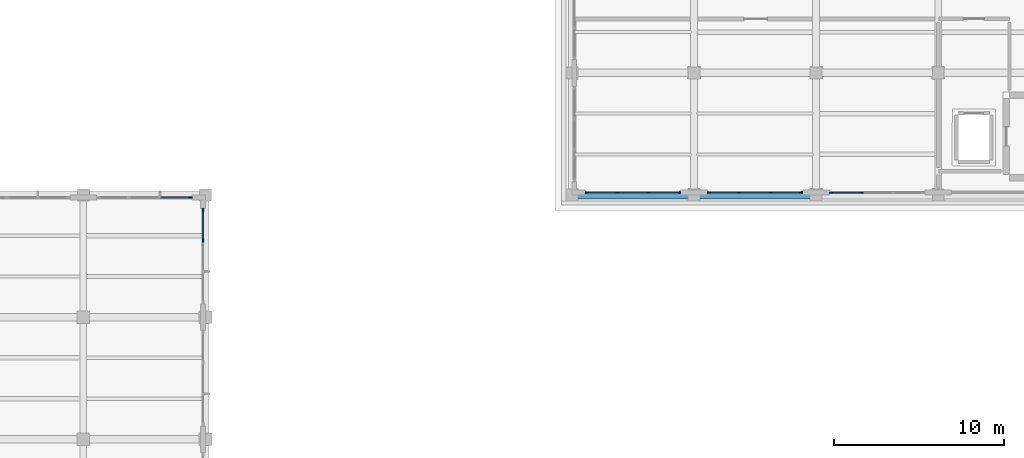
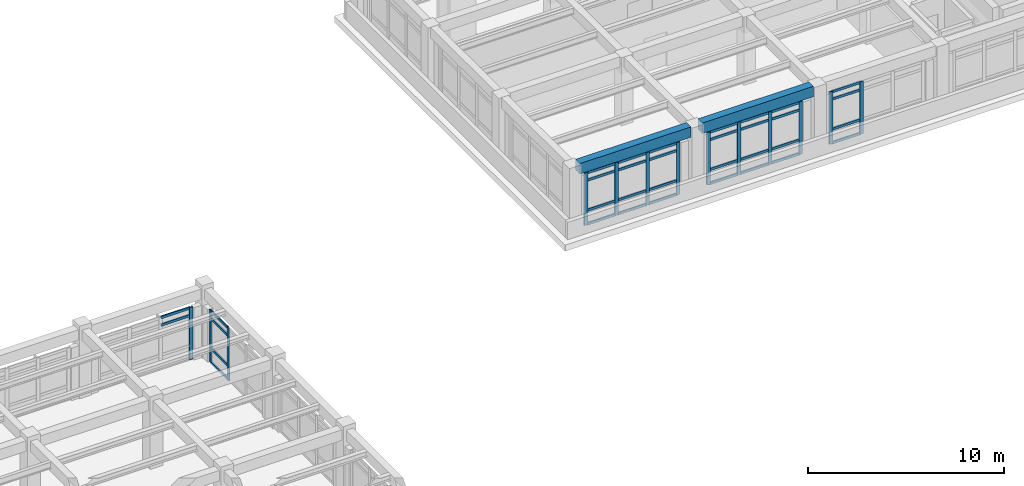
# One storey, part 21 of 64: 47 members, 2 beams, 5 elements without a shape of their own.
"""IFC4 building model written with IfcOpenShell, lengths in metres."""

from ifc_helpers import new_model, si_unit, direction, frame, origin, origin_2d, place, context, subcontext, project, spatial, rectangle, extrude, material, layer, layer_set, material_profile, profile_set, type_object, element, aggregate, save


model = new_model("IFC4")

# Units and contexts
model_context = context("Model", 3, precision=1e-05, world=origin(), true_north=direction((0.0, 1.0)))
body_context = subcontext(model_context, "Body", "Model", "MODEL_VIEW")
ifc_project = project(units=[si_unit("LENGTHUNIT", "METRE"), si_unit("AREAUNIT", "SQUARE_METRE"), si_unit("VOLUMEUNIT", "CUBIC_METRE"), si_unit("PLANEANGLEUNIT", "RADIAN"), si_unit("MASSUNIT", "GRAM", prefix="KILO")], contexts=[model_context])

# Site, building, storey
site_placement = place(None, origin())
site = spatial("IfcSite", under=ifc_project, at=site_placement, CompositionType="ELEMENT")
building_placement = place(site_placement, origin())
building = spatial("IfcBuilding", under=site, at=building_placement, Name="Solenvale Faculty of Natural Sciences", CompositionType="ELEMENT")
storey_placement = place(building_placement, frame((0.0, 0.0, 18.0)))
storey = spatial("IfcBuildingStorey", under=building, at=storey_placement, Name="L04", CompositionType="ELEMENT", Elevation=18.0)

# Beams
ifc_material_1 = material(Name="Concrete 40 MPa", Category="concrete")
ifc_material_profile_1 = material_profile(ifc_material_1, rectangle(XDim=0.449951171875, YDim=0.64990234375, at=origin_2d()), Name="RC-BM-450x650")
ifc_profile_set_1 = profile_set([ifc_material_profile_1], Name="Concrete 40 MPa")
beam_type = type_object("IfcBeamType", Name="BM-RC-450x650", PredefinedType="BEAM", material=ifc_profile_set_1)
for number, where, z_axis, x_axis, name in (
    (1, (79.530029296875, 93.60009765625, 3.89501953125), (1.0, 0.0, 0.0), (0.0, 1.0, 0.0), "L04 X-Girder Y93.6 (79.2..86.4)"),
    (2, (86.72998046875, 93.60009765625, 3.89501953125), (1.0, 0.0, 0.0), (0.0, 1.0, 0.0), "L04 X-Girder Y93.6 (86.4..93.6)"),
):
    element("IfcBeam", number, at=place(storey_placement, frame(where, z_axis=z_axis, x_axis=x_axis)), inside=storey, type_object=beam_type, Name=name, PredefinedType="BEAM", context=body_context, shape_type="SweptSolid", body=[
        extrude(rectangle(XDim=0.449951171875, YDim=0.64990234375, at=origin_2d()), origin(), (0.0, 0.0, 1.0), 6.5400390625),
    ])

# Curtain wall, members
ifc_material_2 = material(Name="Anodised bronze aluminium", Category="aluminium")
ifc_layer_1 = layer(ifc_material_2, 0.215087890625)
ifc_layer_set_1 = layer_set([ifc_layer_1], Name="Anodised bronze aluminium")
curtain_wall_type_1 = type_object("IfcCurtainWallType", Name="CW-ATR-UNIT", PredefinedType="USERDEFINED", material=ifc_layer_set_1)
curtain_wall_1_placement = place(storey_placement, origin())
curtain_wall_1 = element("IfcCurtainWall", 3, at=curtain_wall_1_placement, inside=storey, type_object=curtain_wall_type_1, Name="L04 Curtain Wall CW-L04-P1-E1-B8", ObjectType="UNITISED CURTAIN WALL", PredefinedType="USERDEFINED")
ifc_material_profile_2 = material_profile(ifc_material_2, rectangle(XDim=0.074951171875, YDim=0.2099609375, at=origin_2d()), Name="ALU-MUL-75x210")
ifc_profile_set_2 = profile_set([ifc_material_profile_2], Name="Anodised bronze aluminium")
member_type_1 = type_object("IfcMemberType", Name="CWM-ALU-75x210", PredefinedType="MULLION", material=ifc_profile_set_2)
member_1_placement = place(storey_placement, frame((57.45751953125, 90.916748046875, 0.0), z_axis=(0.0, 0.0, 1.0), x_axis=(-1.0, 0.0, 0.0)))
member_1 = element("IfcMember", 4, at=member_1_placement, type_object=member_type_1, Name="CW-01 mullion 3", PredefinedType="MULLION", context=body_context, shape_type="SweptSolid", body=[
    extrude(rectangle(XDim=0.074951171875, YDim=0.2099609375, at=origin_2d()), origin(), (0.0, 0.0, 1.0), 3.260009765625),
])
member_2_placement = place(storey_placement, frame((57.45751953125, 92.71240234375, 0.0), z_axis=(0.0, 0.0, 1.0), x_axis=(-1.0, 0.0, 0.0)))
member_2 = element("IfcMember", 5, at=member_2_placement, type_object=member_type_1, Name="CW-01 mullion 4", PredefinedType="MULLION", context=body_context, shape_type="SweptSolid", body=[
    extrude(rectangle(XDim=0.074951171875, YDim=0.2099609375, at=origin_2d()), origin(), (0.0, 0.0, 1.0), 3.260009765625),
])

# Curtain wall, member
curtain_wall_2_placement = place(storey_placement, origin())
curtain_wall_2 = element("IfcCurtainWall", 6, at=curtain_wall_2_placement, inside=storey, type_object=curtain_wall_type_1, Name="L04 Curtain Wall CW-L04-P1-E2-B1", ObjectType="UNITISED CURTAIN WALL", PredefinedType="USERDEFINED")
member_3_placement = place(storey_placement, frame((56.71240234375, 93.45751953125, 0.0), z_axis=(0.0, 0.0, 1.0), x_axis=(0.0, -1.0, 0.0)))
member_3 = element("IfcMember", 7, at=member_3_placement, type_object=member_type_1, Name="CW-01 mullion 1", PredefinedType="MULLION", context=body_context, shape_type="SweptSolid", body=[
    extrude(rectangle(XDim=0.074951171875, YDim=0.2099609375, at=origin_2d()), origin(), (0.0, 0.0, 1.0), 3.260009765625),
])

# Curtain wall, members
ifc_layer_2 = layer(ifc_material_2, 0.179931640625)
ifc_layer_set_2 = layer_set([ifc_layer_2], Name="Anodised bronze aluminium")
curtain_wall_type_2 = type_object("IfcCurtainWallType", Name="CW-TWR-MOD", PredefinedType="USERDEFINED", material=ifc_layer_set_2)
curtain_wall_3_placement = place(storey_placement, origin())
curtain_wall_3 = element("IfcCurtainWall", 8, at=curtain_wall_3_placement, inside=storey, type_object=curtain_wall_type_2, Name="L04 Curtain Wall CW-L04-P3-E6-B1", ObjectType="UNITISED CURTAIN WALL", PredefinedType="USERDEFINED")
member_4_placement = place(storey_placement, frame((80.08740234375, 93.742431640625, 0.0), z_axis=(0.0, 0.0, 1.0), x_axis=(0.0, 1.0, 0.0)))
member_4 = element("IfcMember", 9, at=member_4_placement, type_object=member_type_1, Name="CW-04 mullion 1", PredefinedType="MULLION", context=body_context, shape_type="SweptSolid", body=[
    extrude(rectangle(XDim=0.074951171875, YDim=0.2099609375, at=origin_2d()), origin(), (0.0, 0.0, 1.0), 3.260009765625),
])
member_5_placement = place(storey_placement, frame((81.88330078125, 93.742431640625, 0.0), z_axis=(0.0, 0.0, 1.0), x_axis=(0.0, 1.0, 0.0)))
member_5 = element("IfcMember", 10, at=member_5_placement, type_object=member_type_1, Name="CW-04 mullion 2", PredefinedType="MULLION", context=body_context, shape_type="SweptSolid", body=[
    extrude(rectangle(XDim=0.074951171875, YDim=0.2099609375, at=origin_2d()), origin(), (0.0, 0.0, 1.0), 3.260009765625),
])
member_6_placement = place(storey_placement, frame((83.716552734375, 93.742431640625, 0.0), z_axis=(0.0, 0.0, 1.0), x_axis=(0.0, 1.0, 0.0)))
member_6 = element("IfcMember", 11, at=member_6_placement, type_object=member_type_1, Name="CW-04 mullion 3", PredefinedType="MULLION", context=body_context, shape_type="SweptSolid", body=[
    extrude(rectangle(XDim=0.074951171875, YDim=0.2099609375, at=origin_2d()), origin(), (0.0, 0.0, 1.0), 3.260009765625),
])
member_7_placement = place(storey_placement, frame((85.512451171875, 93.742431640625, 0.0), z_axis=(0.0, 0.0, 1.0), x_axis=(0.0, 1.0, 0.0)))
member_7 = element("IfcMember", 12, at=member_7_placement, type_object=member_type_1, Name="CW-04 mullion 4", PredefinedType="MULLION", context=body_context, shape_type="SweptSolid", body=[
    extrude(rectangle(XDim=0.074951171875, YDim=0.2099609375, at=origin_2d()), origin(), (0.0, 0.0, 1.0), 3.260009765625),
])

curtain_wall_4_placement = place(storey_placement, origin())
curtain_wall_4 = element("IfcCurtainWall", 13, at=curtain_wall_4_placement, inside=storey, type_object=curtain_wall_type_2, Name="L04 Curtain Wall CW-L04-P3-E6-B2", ObjectType="UNITISED CURTAIN WALL", PredefinedType="USERDEFINED")
member_8_placement = place(storey_placement, frame((87.28759765625, 93.742431640625, 0.0), z_axis=(0.0, 0.0, 1.0), x_axis=(0.0, 1.0, 0.0)))
member_8 = element("IfcMember", 14, at=member_8_placement, type_object=member_type_1, Name="CW-04 mullion 1", PredefinedType="MULLION", context=body_context, shape_type="SweptSolid", body=[
    extrude(rectangle(XDim=0.074951171875, YDim=0.2099609375, at=origin_2d()), origin(), (0.0, 0.0, 1.0), 3.260009765625),
])
member_9_placement = place(storey_placement, frame((89.083251953125, 93.742431640625, 0.0), z_axis=(0.0, 0.0, 1.0), x_axis=(0.0, 1.0, 0.0)))
member_9 = element("IfcMember", 15, at=member_9_placement, type_object=member_type_1, Name="CW-04 mullion 2", PredefinedType="MULLION", context=body_context, shape_type="SweptSolid", body=[
    extrude(rectangle(XDim=0.074951171875, YDim=0.2099609375, at=origin_2d()), origin(), (0.0, 0.0, 1.0), 3.260009765625),
])
member_10_placement = place(storey_placement, frame((90.916748046875, 93.742431640625, 0.0), z_axis=(0.0, 0.0, 1.0), x_axis=(0.0, 1.0, 0.0)))
member_10 = element("IfcMember", 16, at=member_10_placement, type_object=member_type_1, Name="CW-04 mullion 3", PredefinedType="MULLION", context=body_context, shape_type="SweptSolid", body=[
    extrude(rectangle(XDim=0.074951171875, YDim=0.2099609375, at=origin_2d()), origin(), (0.0, 0.0, 1.0), 3.260009765625),
])
member_11_placement = place(storey_placement, frame((92.71240234375, 93.742431640625, 0.0), z_axis=(0.0, 0.0, 1.0), x_axis=(0.0, 1.0, 0.0)))
member_11 = element("IfcMember", 17, at=member_11_placement, type_object=member_type_1, Name="CW-04 mullion 4", PredefinedType="MULLION", context=body_context, shape_type="SweptSolid", body=[
    extrude(rectangle(XDim=0.074951171875, YDim=0.2099609375, at=origin_2d()), origin(), (0.0, 0.0, 1.0), 3.260009765625),
])

curtain_wall_5_placement = place(storey_placement, origin())
curtain_wall_5 = element("IfcCurtainWall", 18, at=curtain_wall_5_placement, inside=storey, type_object=curtain_wall_type_2, Name="L04 Curtain Wall CW-L04-P3-E6-B3", ObjectType="UNITISED CURTAIN WALL", PredefinedType="USERDEFINED")
member_12_placement = place(storey_placement, frame((94.487548828125, 93.742431640625, 0.0), z_axis=(0.0, 0.0, 1.0), x_axis=(0.0, 1.0, 0.0)))
member_12 = element("IfcMember", 19, at=member_12_placement, type_object=member_type_1, Name="CW-04 mullion 1", PredefinedType="MULLION", context=body_context, shape_type="SweptSolid", body=[
    extrude(rectangle(XDim=0.074951171875, YDim=0.2099609375, at=origin_2d()), origin(), (0.0, 0.0, 1.0), 3.260009765625),
])
member_13_placement = place(storey_placement, frame((96.283447265625, 93.742431640625, 0.0), z_axis=(0.0, 0.0, 1.0), x_axis=(0.0, 1.0, 0.0)))
member_13 = element("IfcMember", 20, at=member_13_placement, type_object=member_type_1, Name="CW-04 mullion 2", PredefinedType="MULLION", context=body_context, shape_type="SweptSolid", body=[
    extrude(rectangle(XDim=0.074951171875, YDim=0.2099609375, at=origin_2d()), origin(), (0.0, 0.0, 1.0), 3.260009765625),
])

# Member
ifc_material_profile_3 = material_profile(ifc_material_2, rectangle(XDim=0.074951171875, YDim=0.155029296875, at=origin_2d()), Name="ALU-TRN-75x155")
ifc_profile_set_3 = profile_set([ifc_material_profile_3], Name="Anodised bronze aluminium")
member_type_2 = type_object("IfcMemberType", Name="CWT-ALU-75x155", PredefinedType="USERDEFINED", material=ifc_profile_set_3)
member_14_placement = place(storey_placement, frame((57.45751953125, 90.9541015625, 0.03759765625), z_axis=(0.0, 1.0, 0.0), x_axis=(-1.0, 0.0, 0.0)))
member_14 = element("IfcMember", 21, at=member_14_placement, type_object=member_type_2, Name="CW-01 transom 3.1", ObjectType="TRANSOM", PredefinedType="USERDEFINED", context=body_context, shape_type="SweptSolid", body=[
    extrude(rectangle(XDim=0.074951171875, YDim=0.155029296875, at=origin_2d()), origin(), (0.0, 0.0, 1.0), 1.720947265625),
])

member_15_placement = place(storey_placement, frame((57.45751953125, 90.9541015625, 0.89990234375), z_axis=(0.0, 1.0, 0.0), x_axis=(-1.0, 0.0, 0.0)))
member_15 = element("IfcMember", 22, at=member_15_placement, type_object=member_type_2, Name="CW-01 transom 3.2", ObjectType="TRANSOM", PredefinedType="USERDEFINED", context=body_context, shape_type="SweptSolid", body=[
    extrude(rectangle(XDim=0.074951171875, YDim=0.155029296875, at=origin_2d()), origin(), (0.0, 0.0, 1.0), 1.720947265625),
])

member_16_placement = place(storey_placement, frame((57.45751953125, 90.9541015625, 2.760009765625), z_axis=(0.0, 1.0, 0.0), x_axis=(-1.0, 0.0, 0.0)))
member_16 = element("IfcMember", 23, at=member_16_placement, type_object=member_type_2, Name="CW-01 transom 3.3", ObjectType="TRANSOM", PredefinedType="USERDEFINED", context=body_context, shape_type="SweptSolid", body=[
    extrude(rectangle(XDim=0.074951171875, YDim=0.155029296875, at=origin_2d()), origin(), (0.0, 0.0, 1.0), 1.720947265625),
])

member_17_placement = place(storey_placement, frame((57.45751953125, 90.9541015625, 3.222412109375), z_axis=(0.0, 1.0, 0.0), x_axis=(-1.0, 0.0, 0.0)))
member_17 = element("IfcMember", 24, at=member_17_placement, type_object=member_type_2, Name="CW-01 transom 3.4", ObjectType="TRANSOM", PredefinedType="USERDEFINED", context=body_context, shape_type="SweptSolid", body=[
    extrude(rectangle(XDim=0.074951171875, YDim=0.155029296875, at=origin_2d()), origin(), (0.0, 0.0, 1.0), 1.720947265625),
])

aggregate(curtain_wall_1, [member_1, member_2, member_14, member_15, member_16, member_17])

member_18_placement = place(storey_placement, frame((56.675048828125, 93.45751953125, 2.760009765625), z_axis=(-1.0, 0.0, 0.0), x_axis=(0.0, -1.0, 0.0)))
member_18 = element("IfcMember", 25, at=member_18_placement, type_object=member_type_2, Name="CW-01 transom 1.3", ObjectType="TRANSOM", PredefinedType="USERDEFINED", context=body_context, shape_type="SweptSolid", body=[
    extrude(rectangle(XDim=0.074951171875, YDim=0.155029296875, at=origin_2d()), origin(), (0.0, 0.0, 1.0), 1.720947265625),
])

member_19_placement = place(storey_placement, frame((56.675048828125, 93.45751953125, 3.222412109375), z_axis=(-1.0, 0.0, 0.0), x_axis=(0.0, -1.0, 0.0)))
member_19 = element("IfcMember", 26, at=member_19_placement, type_object=member_type_2, Name="CW-01 transom 1.4", ObjectType="TRANSOM", PredefinedType="USERDEFINED", context=body_context, shape_type="SweptSolid", body=[
    extrude(rectangle(XDim=0.074951171875, YDim=0.155029296875, at=origin_2d()), origin(), (0.0, 0.0, 1.0), 1.720947265625),
])

aggregate(curtain_wall_2, [member_3, member_18, member_19])

member_20_placement = place(storey_placement, frame((80.125, 93.742431640625, 0.03759765625), z_axis=(1.0, 0.0, 0.0), x_axis=(0.0, 1.0, 0.0)))
member_20 = element("IfcMember", 27, at=member_20_placement, type_object=member_type_2, Name="CW-04 transom 1.1", ObjectType="TRANSOM", PredefinedType="USERDEFINED", context=body_context, shape_type="SweptSolid", body=[
    extrude(rectangle(XDim=0.074951171875, YDim=0.155029296875, at=origin_2d()), origin(), (0.0, 0.0, 1.0), 1.720947265625),
])

member_21_placement = place(storey_placement, frame((80.125, 93.742431640625, 0.89990234375), z_axis=(1.0, 0.0, 0.0), x_axis=(0.0, 1.0, 0.0)))
member_21 = element("IfcMember", 28, at=member_21_placement, type_object=member_type_2, Name="CW-04 transom 1.2", ObjectType="TRANSOM", PredefinedType="USERDEFINED", context=body_context, shape_type="SweptSolid", body=[
    extrude(rectangle(XDim=0.074951171875, YDim=0.155029296875, at=origin_2d()), origin(), (0.0, 0.0, 1.0), 1.720947265625),
])

member_22_placement = place(storey_placement, frame((80.125, 93.742431640625, 2.760009765625), z_axis=(1.0, 0.0, 0.0), x_axis=(0.0, 1.0, 0.0)))
member_22 = element("IfcMember", 29, at=member_22_placement, type_object=member_type_2, Name="CW-04 transom 1.3", ObjectType="TRANSOM", PredefinedType="USERDEFINED", context=body_context, shape_type="SweptSolid", body=[
    extrude(rectangle(XDim=0.074951171875, YDim=0.155029296875, at=origin_2d()), origin(), (0.0, 0.0, 1.0), 1.720947265625),
])

member_23_placement = place(storey_placement, frame((80.125, 93.742431640625, 3.222412109375), z_axis=(1.0, 0.0, 0.0), x_axis=(0.0, 1.0, 0.0)))
member_23 = element("IfcMember", 30, at=member_23_placement, type_object=member_type_2, Name="CW-04 transom 1.4", ObjectType="TRANSOM", PredefinedType="USERDEFINED", context=body_context, shape_type="SweptSolid", body=[
    extrude(rectangle(XDim=0.074951171875, YDim=0.155029296875, at=origin_2d()), origin(), (0.0, 0.0, 1.0), 1.720947265625),
])

member_24_placement = place(storey_placement, frame((81.9208984375, 93.742431640625, 0.03759765625), z_axis=(1.0, 0.0, 0.0), x_axis=(0.0, 1.0, 0.0)))
member_24 = element("IfcMember", 31, at=member_24_placement, type_object=member_type_2, Name="CW-04 transom 2.1", ObjectType="TRANSOM", PredefinedType="USERDEFINED", context=body_context, shape_type="SweptSolid", body=[
    extrude(rectangle(XDim=0.074951171875, YDim=0.155029296875, at=origin_2d()), origin(), (0.0, 0.0, 1.0), 1.75830078125),
])

member_25_placement = place(storey_placement, frame((81.9208984375, 93.742431640625, 0.89990234375), z_axis=(1.0, 0.0, 0.0), x_axis=(0.0, 1.0, 0.0)))
member_25 = element("IfcMember", 32, at=member_25_placement, type_object=member_type_2, Name="CW-04 transom 2.2", ObjectType="TRANSOM", PredefinedType="USERDEFINED", context=body_context, shape_type="SweptSolid", body=[
    extrude(rectangle(XDim=0.074951171875, YDim=0.155029296875, at=origin_2d()), origin(), (0.0, 0.0, 1.0), 1.75830078125),
])

member_26_placement = place(storey_placement, frame((81.9208984375, 93.742431640625, 2.760009765625), z_axis=(1.0, 0.0, 0.0), x_axis=(0.0, 1.0, 0.0)))
member_26 = element("IfcMember", 33, at=member_26_placement, type_object=member_type_2, Name="CW-04 transom 2.3", ObjectType="TRANSOM", PredefinedType="USERDEFINED", context=body_context, shape_type="SweptSolid", body=[
    extrude(rectangle(XDim=0.074951171875, YDim=0.155029296875, at=origin_2d()), origin(), (0.0, 0.0, 1.0), 1.75830078125),
])

member_27_placement = place(storey_placement, frame((81.9208984375, 93.742431640625, 3.222412109375), z_axis=(1.0, 0.0, 0.0), x_axis=(0.0, 1.0, 0.0)))
member_27 = element("IfcMember", 34, at=member_27_placement, type_object=member_type_2, Name="CW-04 transom 2.4", ObjectType="TRANSOM", PredefinedType="USERDEFINED", context=body_context, shape_type="SweptSolid", body=[
    extrude(rectangle(XDim=0.074951171875, YDim=0.155029296875, at=origin_2d()), origin(), (0.0, 0.0, 1.0), 1.75830078125),
])

member_28_placement = place(storey_placement, frame((83.754150390625, 93.742431640625, 0.03759765625), z_axis=(1.0, 0.0, 0.0), x_axis=(0.0, 1.0, 0.0)))
member_28 = element("IfcMember", 35, at=member_28_placement, type_object=member_type_2, Name="CW-04 transom 3.1", ObjectType="TRANSOM", PredefinedType="USERDEFINED", context=body_context, shape_type="SweptSolid", body=[
    extrude(rectangle(XDim=0.074951171875, YDim=0.155029296875, at=origin_2d()), origin(), (0.0, 0.0, 1.0), 1.720947265625),
])

member_29_placement = place(storey_placement, frame((83.754150390625, 93.742431640625, 0.89990234375), z_axis=(1.0, 0.0, 0.0), x_axis=(0.0, 1.0, 0.0)))
member_29 = element("IfcMember", 36, at=member_29_placement, type_object=member_type_2, Name="CW-04 transom 3.2", ObjectType="TRANSOM", PredefinedType="USERDEFINED", context=body_context, shape_type="SweptSolid", body=[
    extrude(rectangle(XDim=0.074951171875, YDim=0.155029296875, at=origin_2d()), origin(), (0.0, 0.0, 1.0), 1.720947265625),
])

member_30_placement = place(storey_placement, frame((83.754150390625, 93.742431640625, 2.760009765625), z_axis=(1.0, 0.0, 0.0), x_axis=(0.0, 1.0, 0.0)))
member_30 = element("IfcMember", 37, at=member_30_placement, type_object=member_type_2, Name="CW-04 transom 3.3", ObjectType="TRANSOM", PredefinedType="USERDEFINED", context=body_context, shape_type="SweptSolid", body=[
    extrude(rectangle(XDim=0.074951171875, YDim=0.155029296875, at=origin_2d()), origin(), (0.0, 0.0, 1.0), 1.720947265625),
])

member_31_placement = place(storey_placement, frame((83.754150390625, 93.742431640625, 3.222412109375), z_axis=(1.0, 0.0, 0.0), x_axis=(0.0, 1.0, 0.0)))
member_31 = element("IfcMember", 38, at=member_31_placement, type_object=member_type_2, Name="CW-04 transom 3.4", ObjectType="TRANSOM", PredefinedType="USERDEFINED", context=body_context, shape_type="SweptSolid", body=[
    extrude(rectangle(XDim=0.074951171875, YDim=0.155029296875, at=origin_2d()), origin(), (0.0, 0.0, 1.0), 1.720947265625),
])

aggregate(curtain_wall_3, [member_4, member_5, member_6, member_7, member_20, member_21, member_22, member_23, member_24, member_25, member_26, member_27, member_28, member_29, member_30, member_31])

member_32_placement = place(storey_placement, frame((87.324951171875, 93.742431640625, 0.03759765625), z_axis=(1.0, 0.0, 0.0), x_axis=(0.0, 1.0, 0.0)))
member_32 = element("IfcMember", 39, at=member_32_placement, type_object=member_type_2, Name="CW-04 transom 1.1", ObjectType="TRANSOM", PredefinedType="USERDEFINED", context=body_context, shape_type="SweptSolid", body=[
    extrude(rectangle(XDim=0.074951171875, YDim=0.155029296875, at=origin_2d()), origin(), (0.0, 0.0, 1.0), 1.720947265625),
])

member_33_placement = place(storey_placement, frame((87.324951171875, 93.742431640625, 0.89990234375), z_axis=(1.0, 0.0, 0.0), x_axis=(0.0, 1.0, 0.0)))
member_33 = element("IfcMember", 40, at=member_33_placement, type_object=member_type_2, Name="CW-04 transom 1.2", ObjectType="TRANSOM", PredefinedType="USERDEFINED", context=body_context, shape_type="SweptSolid", body=[
    extrude(rectangle(XDim=0.074951171875, YDim=0.155029296875, at=origin_2d()), origin(), (0.0, 0.0, 1.0), 1.720947265625),
])

member_34_placement = place(storey_placement, frame((87.324951171875, 93.742431640625, 2.760009765625), z_axis=(1.0, 0.0, 0.0), x_axis=(0.0, 1.0, 0.0)))
member_34 = element("IfcMember", 41, at=member_34_placement, type_object=member_type_2, Name="CW-04 transom 1.3", ObjectType="TRANSOM", PredefinedType="USERDEFINED", context=body_context, shape_type="SweptSolid", body=[
    extrude(rectangle(XDim=0.074951171875, YDim=0.155029296875, at=origin_2d()), origin(), (0.0, 0.0, 1.0), 1.720947265625),
])

member_35_placement = place(storey_placement, frame((87.324951171875, 93.742431640625, 3.222412109375), z_axis=(1.0, 0.0, 0.0), x_axis=(0.0, 1.0, 0.0)))
member_35 = element("IfcMember", 42, at=member_35_placement, type_object=member_type_2, Name="CW-04 transom 1.4", ObjectType="TRANSOM", PredefinedType="USERDEFINED", context=body_context, shape_type="SweptSolid", body=[
    extrude(rectangle(XDim=0.074951171875, YDim=0.155029296875, at=origin_2d()), origin(), (0.0, 0.0, 1.0), 1.720947265625),
])

member_36_placement = place(storey_placement, frame((89.120849609375, 93.742431640625, 0.03759765625), z_axis=(1.0, 0.0, 0.0), x_axis=(0.0, 1.0, 0.0)))
member_36 = element("IfcMember", 43, at=member_36_placement, type_object=member_type_2, Name="CW-04 transom 2.1", ObjectType="TRANSOM", PredefinedType="USERDEFINED", context=body_context, shape_type="SweptSolid", body=[
    extrude(rectangle(XDim=0.074951171875, YDim=0.155029296875, at=origin_2d()), origin(), (0.0, 0.0, 1.0), 1.75830078125),
])

member_37_placement = place(storey_placement, frame((89.120849609375, 93.742431640625, 0.89990234375), z_axis=(1.0, 0.0, 0.0), x_axis=(0.0, 1.0, 0.0)))
member_37 = element("IfcMember", 44, at=member_37_placement, type_object=member_type_2, Name="CW-04 transom 2.2", ObjectType="TRANSOM", PredefinedType="USERDEFINED", context=body_context, shape_type="SweptSolid", body=[
    extrude(rectangle(XDim=0.074951171875, YDim=0.155029296875, at=origin_2d()), origin(), (0.0, 0.0, 1.0), 1.75830078125),
])

member_38_placement = place(storey_placement, frame((89.120849609375, 93.742431640625, 2.760009765625), z_axis=(1.0, 0.0, 0.0), x_axis=(0.0, 1.0, 0.0)))
member_38 = element("IfcMember", 45, at=member_38_placement, type_object=member_type_2, Name="CW-04 transom 2.3", ObjectType="TRANSOM", PredefinedType="USERDEFINED", context=body_context, shape_type="SweptSolid", body=[
    extrude(rectangle(XDim=0.074951171875, YDim=0.155029296875, at=origin_2d()), origin(), (0.0, 0.0, 1.0), 1.75830078125),
])

member_39_placement = place(storey_placement, frame((89.120849609375, 93.742431640625, 3.222412109375), z_axis=(1.0, 0.0, 0.0), x_axis=(0.0, 1.0, 0.0)))
member_39 = element("IfcMember", 46, at=member_39_placement, type_object=member_type_2, Name="CW-04 transom 2.4", ObjectType="TRANSOM", PredefinedType="USERDEFINED", context=body_context, shape_type="SweptSolid", body=[
    extrude(rectangle(XDim=0.074951171875, YDim=0.155029296875, at=origin_2d()), origin(), (0.0, 0.0, 1.0), 1.75830078125),
])

member_40_placement = place(storey_placement, frame((90.9541015625, 93.742431640625, 0.03759765625), z_axis=(1.0, 0.0, 0.0), x_axis=(0.0, 1.0, 0.0)))
member_40 = element("IfcMember", 47, at=member_40_placement, type_object=member_type_2, Name="CW-04 transom 3.1", ObjectType="TRANSOM", PredefinedType="USERDEFINED", context=body_context, shape_type="SweptSolid", body=[
    extrude(rectangle(XDim=0.074951171875, YDim=0.155029296875, at=origin_2d()), origin(), (0.0, 0.0, 1.0), 1.720947265625),
])

member_41_placement = place(storey_placement, frame((90.9541015625, 93.742431640625, 0.89990234375), z_axis=(1.0, 0.0, 0.0), x_axis=(0.0, 1.0, 0.0)))
member_41 = element("IfcMember", 48, at=member_41_placement, type_object=member_type_2, Name="CW-04 transom 3.2", ObjectType="TRANSOM", PredefinedType="USERDEFINED", context=body_context, shape_type="SweptSolid", body=[
    extrude(rectangle(XDim=0.074951171875, YDim=0.155029296875, at=origin_2d()), origin(), (0.0, 0.0, 1.0), 1.720947265625),
])

member_42_placement = place(storey_placement, frame((90.9541015625, 93.742431640625, 2.760009765625), z_axis=(1.0, 0.0, 0.0), x_axis=(0.0, 1.0, 0.0)))
member_42 = element("IfcMember", 49, at=member_42_placement, type_object=member_type_2, Name="CW-04 transom 3.3", ObjectType="TRANSOM", PredefinedType="USERDEFINED", context=body_context, shape_type="SweptSolid", body=[
    extrude(rectangle(XDim=0.074951171875, YDim=0.155029296875, at=origin_2d()), origin(), (0.0, 0.0, 1.0), 1.720947265625),
])

member_43_placement = place(storey_placement, frame((90.9541015625, 93.742431640625, 3.222412109375), z_axis=(1.0, 0.0, 0.0), x_axis=(0.0, 1.0, 0.0)))
member_43 = element("IfcMember", 50, at=member_43_placement, type_object=member_type_2, Name="CW-04 transom 3.4", ObjectType="TRANSOM", PredefinedType="USERDEFINED", context=body_context, shape_type="SweptSolid", body=[
    extrude(rectangle(XDim=0.074951171875, YDim=0.155029296875, at=origin_2d()), origin(), (0.0, 0.0, 1.0), 1.720947265625),
])

aggregate(curtain_wall_4, [member_8, member_9, member_10, member_11, member_32, member_33, member_34, member_35, member_36, member_37, member_38, member_39, member_40, member_41, member_42, member_43])

member_44_placement = place(storey_placement, frame((94.52490234375, 93.742431640625, 0.03759765625), z_axis=(1.0, 0.0, 0.0), x_axis=(0.0, 1.0, 0.0)))
member_44 = element("IfcMember", 51, at=member_44_placement, type_object=member_type_2, Name="CW-04 transom 1.1", ObjectType="TRANSOM", PredefinedType="USERDEFINED", context=body_context, shape_type="SweptSolid", body=[
    extrude(rectangle(XDim=0.074951171875, YDim=0.155029296875, at=origin_2d()), origin(), (0.0, 0.0, 1.0), 1.720947265625),
])

member_45_placement = place(storey_placement, frame((94.52490234375, 93.742431640625, 0.89990234375), z_axis=(1.0, 0.0, 0.0), x_axis=(0.0, 1.0, 0.0)))
member_45 = element("IfcMember", 52, at=member_45_placement, type_object=member_type_2, Name="CW-04 transom 1.2", ObjectType="TRANSOM", PredefinedType="USERDEFINED", context=body_context, shape_type="SweptSolid", body=[
    extrude(rectangle(XDim=0.074951171875, YDim=0.155029296875, at=origin_2d()), origin(), (0.0, 0.0, 1.0), 1.720947265625),
])

member_46_placement = place(storey_placement, frame((94.52490234375, 93.742431640625, 2.760009765625), z_axis=(1.0, 0.0, 0.0), x_axis=(0.0, 1.0, 0.0)))
member_46 = element("IfcMember", 53, at=member_46_placement, type_object=member_type_2, Name="CW-04 transom 1.3", ObjectType="TRANSOM", PredefinedType="USERDEFINED", context=body_context, shape_type="SweptSolid", body=[
    extrude(rectangle(XDim=0.074951171875, YDim=0.155029296875, at=origin_2d()), origin(), (0.0, 0.0, 1.0), 1.720947265625),
])

member_47_placement = place(storey_placement, frame((94.52490234375, 93.742431640625, 3.222412109375), z_axis=(1.0, 0.0, 0.0), x_axis=(0.0, 1.0, 0.0)))
member_47 = element("IfcMember", 54, at=member_47_placement, type_object=member_type_2, Name="CW-04 transom 1.4", ObjectType="TRANSOM", PredefinedType="USERDEFINED", context=body_context, shape_type="SweptSolid", body=[
    extrude(rectangle(XDim=0.074951171875, YDim=0.155029296875, at=origin_2d()), origin(), (0.0, 0.0, 1.0), 1.720947265625),
])

aggregate(curtain_wall_5, [member_12, member_13, member_44, member_45, member_46, member_47])

save(model, "model.ifc")
